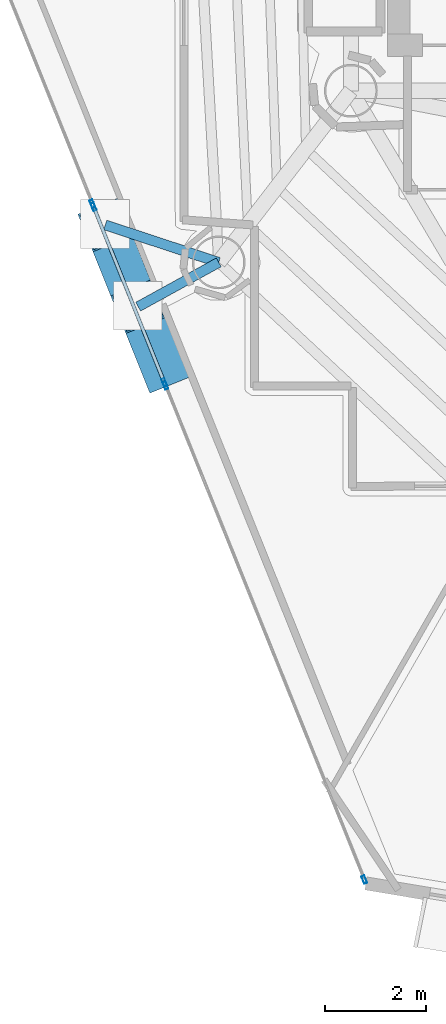
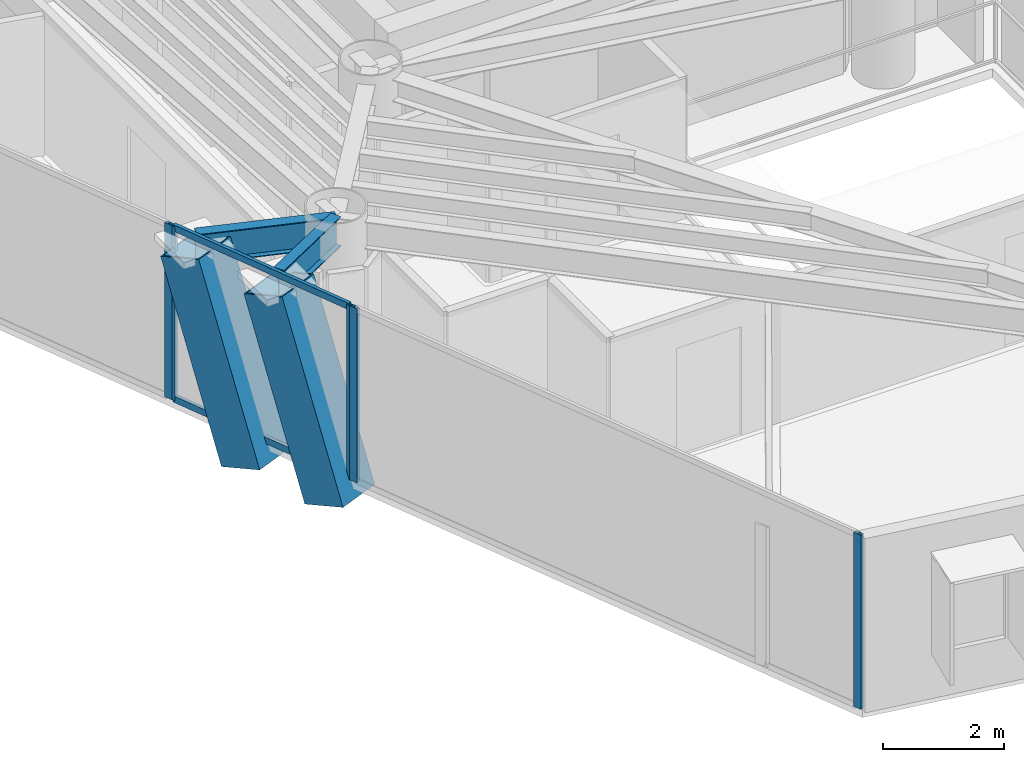
# One storey, part 2 of 21: 9 members, 2 beams, 3 elements without a shape of their own.
"""IFC4 building model written with IfcOpenShell, lengths in metres."""

from ifc_helpers import new_model, si_unit, direction, frame, origin, origin_2d, place, context, subcontext, project, spatial, hollow_rectangle, i_section, extrude, material, layer, layer_set, material_profile, profile_set, type_object, element, aggregate, save


model = new_model("IFC4")

# Units and contexts
model_context = context("Model", 3, precision=1e-05, world=origin(), true_north=direction((0.0, 1.0)))
body_context = subcontext(model_context, "Body", "Model", "MODEL_VIEW")
ifc_project = project(units=[si_unit("LENGTHUNIT", "METRE"), si_unit("AREAUNIT", "SQUARE_METRE"), si_unit("VOLUMEUNIT", "CUBIC_METRE"), si_unit("PLANEANGLEUNIT", "RADIAN"), si_unit("MASSUNIT", "GRAM", prefix="KILO")], contexts=[model_context])

# Site, building, storey
site_placement = place(None, origin())
site = spatial("IfcSite", under=ifc_project, at=site_placement, CompositionType="ELEMENT")
building_placement = place(site_placement, origin())
building = spatial("IfcBuilding", under=site, at=building_placement, Name="Qianvela Tower", CompositionType="ELEMENT")
storey_placement = place(building_placement, frame((0.0, 0.0, 242.699951171875)))
storey = spatial("IfcBuildingStorey", under=building, at=storey_placement, Name="L62", CompositionType="ELEMENT", Elevation=242.699951171875)

# Beams
ifc_material_1 = material(Name="Steel Q355B", Category="steel")
ifc_material_profile_1 = material_profile(ifc_material_1, i_section(OverallWidth=0.199951171875, OverallDepth=0.60009765625, WebThickness=0.010986328125, FlangeThickness=0.01708984375, at=origin_2d()), Name="HN600x200x11x17")
ifc_profile_set_1 = profile_set([ifc_material_profile_1], Name="Steel Q355B")
beam_type = type_object("IfcBeamType", Name="BM-HN600-GIRD", PredefinedType="BEAM", material=ifc_profile_set_1)
beam_1_placement = place(storey_placement, frame((25.971923828125, 20.43701171875, 3.218017578125), z_axis=(-0.949726146453, 0.313081853104, 0.0), x_axis=(-0.313081853104, -0.949726146453, 0.0)))
element("IfcBeam", 1, at=beam_1_placement, inside=storey, type_object=beam_type, Name="L62 Mega-Brace Column Tie Bracket F2-1", PredefinedType="BEAM", context=body_context, shape_type="SweptSolid", body=[
    extrude(i_section(OverallWidth=0.199951171875, OverallDepth=0.60009765625, WebThickness=0.010986328125, FlangeThickness=0.01708984375, at=origin_2d()), origin(), (0.0, 0.0, 1.0), 2.3759765625),
])
beam_2_placement = place(storey_placement, frame((25.971923828125, 20.43701171875, 3.218017578125), z_axis=(-0.876083412185, -0.482159574099, 0.0), x_axis=(0.482159574099, -0.876083412185, 0.0)))
element("IfcBeam", 2, at=beam_2_placement, inside=storey, type_object=beam_type, Name="L62 Mega-Brace Column Tie Bracket F2-2", PredefinedType="BEAM", context=body_context, shape_type="SweptSolid", body=[
    extrude(i_section(OverallWidth=0.199951171875, OverallDepth=0.60009765625, WebThickness=0.010986328125, FlangeThickness=0.01708984375, at=origin_2d()), origin(), (0.0, 0.0, 1.0), 1.828857421875),
])

# Curtain wall, members
ifc_material_2 = material(Name="Anodised Architectural Aluminium and Insulated Spandrel Panel", Category="aluminium")
ifc_layer_1 = layer(ifc_material_2, 0.179931640625)
ifc_layer_set_1 = layer_set([ifc_layer_1], Name="Anodised Architectural Aluminium and Insulated Spandrel Panel")
curtain_wall_type_1 = type_object("IfcCurtainWallType", Name="CW-BRACEBAY", PredefinedType="USERDEFINED", material=ifc_layer_set_1)
curtain_wall_1_placement = place(storey_placement, origin())
curtain_wall_1 = element("IfcCurtainWall", 3, at=curtain_wall_1_placement, inside=storey, type_object=curtain_wall_type_1, Name="L62 CW-BRACEBAY Curtain Wall 04B", ObjectType="CURTAIN_WALL_SYSTEM", PredefinedType="USERDEFINED")
ifc_material_3 = material(Name="Anodised Architectural Aluminium 6063-T6", Category="aluminium")
ifc_material_profile_2 = material_profile(ifc_material_3, hollow_rectangle(XDim=0.06494140625, YDim=0.159912109375, WallThickness=0.0048828125, at=origin_2d()), Name="ALU-MULL-65x160")
ifc_profile_set_2 = profile_set([ifc_material_profile_2], Name="Anodised Architectural Aluminium 6063-T6")
member_type_1 = type_object("IfcMemberType", Name="CW-BRACEBAY-MULL", PredefinedType="MULLION", material=ifc_profile_set_2)
member_1_placement = place(storey_placement, frame((23.4833984375, 21.54345703125, 0.0), z_axis=(0.0, 0.0, 1.0), x_axis=(0.927707643907, 0.373307550736, 0.0)))
member_1 = element("IfcMember", 4, at=member_1_placement, type_object=member_type_1, Name="CW-9 mullion 1", PredefinedType="MULLION", context=body_context, shape_type="SweptSolid", body=[
    extrude(hollow_rectangle(XDim=0.06494140625, YDim=0.159912109375, WallThickness=0.0048828125, at=origin_2d()), origin(), (0.0, 0.0, 1.0), 3.52001953125),
])
member_2_placement = place(storey_placement, frame((24.888916015625, 18.050537109375, 0.0), z_axis=(0.0, 0.0, 1.0), x_axis=(0.927707643907, 0.373307550736, 0.0)))
member_2 = element("IfcMember", 5, at=member_2_placement, type_object=member_type_1, Name="CW-9 mullion 2", PredefinedType="MULLION", context=body_context, shape_type="SweptSolid", body=[
    extrude(hollow_rectangle(XDim=0.06494140625, YDim=0.159912109375, WallThickness=0.0048828125, at=origin_2d()), origin(), (0.0, 0.0, 1.0), 3.52001953125),
])
ifc_material_4 = material(Name="Anodised Architectural Aluminium 6063-T6", Category="aluminium")
ifc_material_profile_3 = material_profile(ifc_material_4, hollow_rectangle(XDim=0.06494140625, YDim=0.1298828125, WallThickness=0.00439453125, at=origin_2d()), Name="ALU-TRAN-65x130")
ifc_profile_set_3 = profile_set([ifc_material_profile_3], Name="Anodised Architectural Aluminium 6063-T6")
member_type_2 = type_object("IfcMemberType", Name="CW-BRACEBAY-TRAN", PredefinedType="USERDEFINED", material=ifc_profile_set_3)
member_3_placement = place(storey_placement, frame((23.495361328125, 21.51318359375, 0.032470703125), z_axis=(0.373323813742, -0.927701099543, 0.0), x_axis=(0.927701099543, 0.373323813742, 0.0)))
member_3 = element("IfcMember", 6, at=member_3_placement, type_object=member_type_2, Name="CW-9 transom 1.1", ObjectType="TRANSOM", PredefinedType="USERDEFINED", context=body_context, shape_type="SweptSolid", body=[
    extrude(hollow_rectangle(XDim=0.06494140625, YDim=0.1298828125, WallThickness=0.00439453125, at=origin_2d()), origin(), (0.0, 0.0, 1.0), 3.7001953125),
])
member_4_placement = place(storey_placement, frame((23.495361328125, 21.51318359375, 3.487548828125), z_axis=(0.373323813742, -0.927701099543, 0.0), x_axis=(0.927701099543, 0.373323813742, 0.0)))
member_4 = element("IfcMember", 7, at=member_4_placement, type_object=member_type_2, Name="CW-9 transom 1.2", ObjectType="TRANSOM", PredefinedType="USERDEFINED", context=body_context, shape_type="SweptSolid", body=[
    extrude(hollow_rectangle(XDim=0.06494140625, YDim=0.1298828125, WallThickness=0.00439453125, at=origin_2d()), origin(), (0.0, 0.0, 1.0), 3.7001953125),
])
aggregate(curtain_wall_1, [member_1, member_2, member_3, member_4])

# Curtain wall, member
ifc_material_5 = material(Name="Anodised Architectural Aluminium and Low-E Glass", Category="aluminium")
ifc_layer_2 = layer(ifc_material_5, 0.159912109375)
ifc_layer_set_2 = layer_set([ifc_layer_2], Name="Anodised Architectural Aluminium and Low-E Glass")
curtain_wall_type_2 = type_object("IfcCurtainWallType", Name="CW-COLIV-Z56", PredefinedType="USERDEFINED", material=ifc_layer_set_2)
curtain_wall_2_placement = place(storey_placement, origin())
curtain_wall_2 = element("IfcCurtainWall", 8, at=curtain_wall_2_placement, inside=storey, type_object=curtain_wall_type_2, Name="L62 CW-COLIV-Z56 Curtain Wall 04A", ObjectType="CURTAIN_WALL_SYSTEM", PredefinedType="USERDEFINED")
ifc_material_6 = material(Name="Anodised Architectural Aluminium 6063-T6", Category="aluminium")
ifc_material_profile_4 = material_profile(ifc_material_6, hollow_rectangle(XDim=0.06494140625, YDim=0.159912109375, WallThickness=0.0048828125, at=origin_2d()), Name="ALU-MULL-65x160")
ifc_profile_set_4 = profile_set([ifc_material_profile_4], Name="Anodised Architectural Aluminium 6063-T6")
member_type_3 = type_object("IfcMemberType", Name="CW-COLIV-Z56-MULL", PredefinedType="MULLION", material=ifc_profile_set_4)
member_5_placement = place(storey_placement, frame((23.458984375, 21.603759765625, 0.0), z_axis=(0.0, 0.0, 1.0), x_axis=(0.92770836308, 0.373305763512, 0.0)))
member_5 = element("IfcMember", 9, at=member_5_placement, type_object=member_type_3, Name="CW-5 mullion 2", PredefinedType="MULLION", context=body_context, shape_type="SweptSolid", body=[
    extrude(hollow_rectangle(XDim=0.06494140625, YDim=0.159912109375, WallThickness=0.0048828125, at=origin_2d()), origin(), (0.0, 0.0, 1.0), 3.52001953125),
])
aggregate(curtain_wall_2, [member_5])

# Curtain wall, members
curtain_wall_3_placement = place(storey_placement, origin())
curtain_wall_3 = element("IfcCurtainWall", 10, at=curtain_wall_3_placement, inside=storey, type_object=curtain_wall_type_2, Name="L62 CW-COLIV-Z56 Curtain Wall 04C", ObjectType="CURTAIN_WALL_SYSTEM", PredefinedType="USERDEFINED")
member_6_placement = place(storey_placement, frame((24.9130859375, 17.990234375, 0.0), z_axis=(0.0, 0.0, 1.0), x_axis=(0.927706850721, 0.373309521879, 0.0)))
member_6 = element("IfcMember", 11, at=member_6_placement, type_object=member_type_3, Name="CW-5 mullion 1", PredefinedType="MULLION", context=body_context, shape_type="SweptSolid", body=[
    extrude(hollow_rectangle(XDim=0.06494140625, YDim=0.159912109375, WallThickness=0.0048828125, at=origin_2d()), origin(), (0.0, 0.0, 1.0), 3.52001953125),
])
member_7_placement = place(storey_placement, frame((28.86865234375, 8.16015625, 0.0), z_axis=(0.0, 0.0, 1.0), x_axis=(0.927706850721, 0.373309521879, 0.0)))
member_7 = element("IfcMember", 12, at=member_7_placement, type_object=member_type_3, Name="CW-5 mullion 2", PredefinedType="MULLION", context=body_context, shape_type="SweptSolid", body=[
    extrude(hollow_rectangle(XDim=0.06494140625, YDim=0.159912109375, WallThickness=0.0048828125, at=origin_2d()), origin(), (0.0, 0.0, 1.0), 3.52001953125),
])
aggregate(curtain_wall_3, [member_6, member_7])

# Members
ifc_material_7 = material(Name="Steel Q420GJC", Category="steel")
ifc_material_profile_5 = material_profile(ifc_material_7, hollow_rectangle(XDim=0.85009765625, YDim=0.85009765625, WallThickness=0.031982421875, at=origin_2d()), Name="MBOX-850x850x32")
ifc_profile_set_5 = profile_set([ifc_material_profile_5], Name="Steel Q420GJC")
member_type_4 = type_object("IfcMemberType", Name="MBR-MBRACE-850", PredefinedType="BRACE", material=ifc_profile_set_5)
for number, where, z_axis, x_axis, name in (
    (13, (24.193603515625, 19.99267578125, -0.48193359375), (-0.122151685705, 0.303477414152, 0.944976414933), (-0.927672672914, -0.373394445498, 0.0), "L62 Tier 10 Exterior Mega-Brace F2A"),
    (14, (24.847900390625, 18.366943359375, -0.48193359375), (-0.122151685705, 0.303477414152, 0.944976414933), (-0.927672672914, -0.373394445498, 0.0), "L62 Tier 10 Exterior Mega-Brace F2B"),
):
    element("IfcMember", number, at=place(storey_placement, frame(where, z_axis=z_axis, x_axis=x_axis)), inside=storey, type_object=member_type_4, Name=name, PredefinedType="BRACE", context=body_context, shape_type="SweptSolid", body=[
        extrude(hollow_rectangle(XDim=0.85009765625, YDim=0.85009765625, WallThickness=0.031982421875, at=origin_2d()), origin(), (0.0, 0.0, 1.0), 3.915283203125),
    ])

save(model, "model.ifc")
